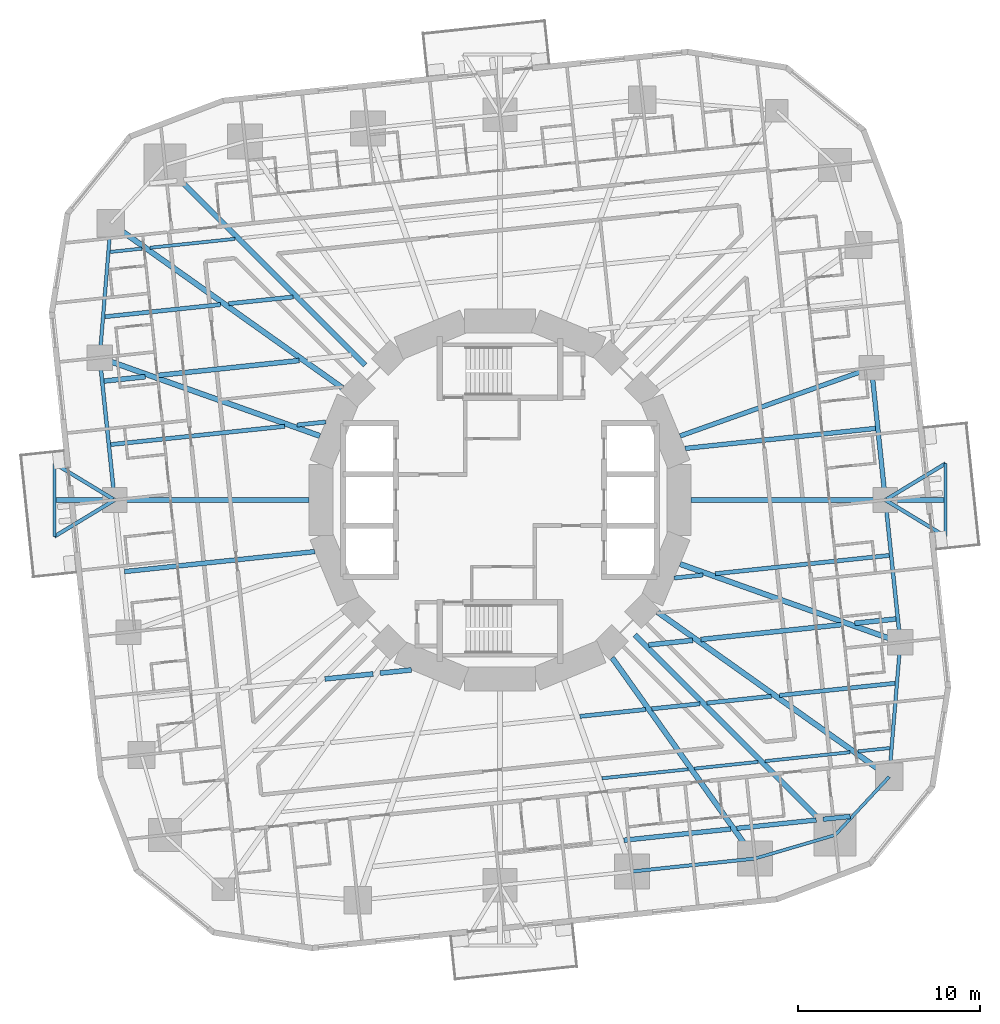
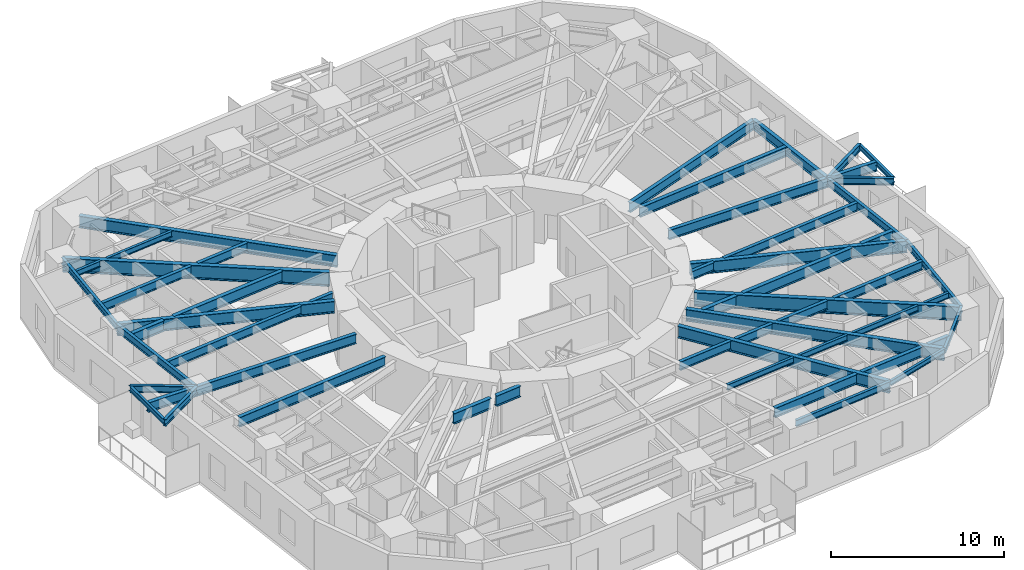
# One storey, part 2 of 15: 52 beams.
"""IFC4 building model written with IfcOpenShell, lengths in metres."""

from ifc_helpers import new_model, si_unit, direction, frame, origin, origin_2d, place, context, subcontext, project, spatial, i_section, extrude, material, material_profile, profile_set, type_object, element, save


model = new_model("IFC4")

# Units and contexts
model_context = context("Model", 3, precision=1e-05, world=origin(), true_north=direction((0.0, 1.0)))
body_context = subcontext(model_context, "Body", "Model", "MODEL_VIEW")
ifc_project = project(units=[si_unit("LENGTHUNIT", "METRE"), si_unit("AREAUNIT", "SQUARE_METRE"), si_unit("VOLUMEUNIT", "CUBIC_METRE"), si_unit("PLANEANGLEUNIT", "RADIAN"), si_unit("MASSUNIT", "GRAM", prefix="KILO")], contexts=[model_context])

# Site, building, storey
site_placement = place(None, origin())
site = spatial("IfcSite", under=ifc_project, at=site_placement, CompositionType="ELEMENT")
building_placement = place(site_placement, origin())
building = spatial("IfcBuilding", under=site, at=building_placement, Name="Nakasero Lantern House", CompositionType="ELEMENT")
storey_placement = place(building_placement, frame((0.0, 0.0, 72.050048828125)))
storey = spatial("IfcBuildingStorey", under=building, at=storey_placement, Name="L17", CompositionType="ELEMENT", Elevation=72.050048828125)

# Beams
ifc_material_1 = material(Name="Steel S355", Category="steel")
ifc_material_profile_1 = material_profile(ifc_material_1, i_section(OverallWidth=0.199462890625, OverallDepth=0.491943359375, WebThickness=0.01806640625, FlangeThickness=0.031982421875, FilletRadius=0.01025390625, at=origin_2d()), Name="UB 457x191x161")
ifc_profile_set_1 = profile_set([ifc_material_profile_1], Name="Steel S355")
beam_type_1 = type_object("IfcBeamType", Name="Balcony splay beam UB 457x191x161", PredefinedType="BEAM", material=ifc_profile_set_1)
for number, where, z_axis, x_axis, name in (
    (1, (21.11572265625, 0.0, 3.404052734375), (0.855201230787, 0.518296107317, 0.0), (-0.518296107317, 0.855201230787, 0.0), "Balcony splay beam L18 B2-C03A"),
    (2, (21.11572265625, 0.0, 3.404052734375), (0.855201230787, -0.518296107317, 0.0), (0.518296107317, 0.855201230787, 0.0), "Balcony splay beam L18 B2-C03B"),
    (3, (-21.11572265625, 0.0, 3.404052734375), (-0.855201230787, -0.518296107317, 0.0), (0.518296107317, -0.855201230787, 0.0), "Balcony splay beam L18 B2-C15A"),
    (4, (-21.11572265625, 0.0, 3.404052734375), (-0.855201230787, 0.518296107317, 0.0), (-0.518296107317, -0.855201230787, 0.0), "Balcony splay beam L18 B2-C15B"),
):
    element("IfcBeam", number, at=place(storey_placement, frame(where, z_axis=z_axis, x_axis=x_axis)), inside=storey, type_object=beam_type_1, Name=name, PredefinedType="BEAM", context=body_context, shape_type="SweptSolid", body=[
        extrude(i_section(OverallWidth=0.199462890625, OverallDepth=0.491943359375, WebThickness=0.01806640625, FlangeThickness=0.031982421875, FilletRadius=0.01025390625, at=origin_2d()), origin(), (0.0, 0.0, 1.0), 3.85888671875),
    ])
ifc_material_2 = material(Name="Steel S355", Category="steel")
ifc_material_profile_2 = material_profile(ifc_material_2, i_section(OverallWidth=0.17138671875, OverallDepth=0.35498046875, WebThickness=0.00732421875, FlangeThickness=0.011474609375, FilletRadius=0.01025390625, at=origin_2d()), Name="UB 356x171x51")
ifc_profile_set_2 = profile_set([ifc_material_profile_2], Name="Steel S355")
beam_type_2 = type_object("IfcBeamType", Name="Balcony tie beam UB 356x171x51", PredefinedType="BEAM", material=ifc_profile_set_2)
for number, where, z_axis, x_axis, name in (
    (5, (24.415771484375, 2.0, 3.472412109375), (0.0, -1.0, 0.0), (1.0, 0.0, 0.0), "Balcony tie beam L18 B2-C03"),
    (6, (-24.415771484375, -2.0, 3.472412109375), (0.0, 1.0, 0.0), (-1.0, 0.0, 0.0), "Balcony tie beam L18 B2-C15"),
):
    element("IfcBeam", number, at=place(storey_placement, frame(where, z_axis=z_axis, x_axis=x_axis)), inside=storey, type_object=beam_type_2, Name=name, PredefinedType="BEAM", context=body_context, shape_type="SweptSolid", body=[
        extrude(i_section(OverallWidth=0.17138671875, OverallDepth=0.35498046875, WebThickness=0.00732421875, FlangeThickness=0.011474609375, FilletRadius=0.01025390625, at=origin_2d()), origin(), (0.0, 0.0, 1.0), 4.0),
    ])
ifc_material_3 = material(Name="Steel S355", Category="steel")
ifc_material_profile_3 = material_profile(ifc_material_3, i_section(OverallWidth=0.177978515625, OverallDepth=0.406494140625, WebThickness=0.0078125, FlangeThickness=0.0126953125, FilletRadius=0.01025390625, at=origin_2d()), Name="UB 406x178x60")
ifc_profile_set_3 = profile_set([ifc_material_profile_3], Name="Steel S355")
beam_type_3 = type_object("IfcBeamType", Name="Infill beam UB 406x178x60", PredefinedType="JOIST", material=ifc_profile_set_3)
beam_1_placement = place(storey_placement, frame((5.58154296875, -15.25, 3.44677734375), z_axis=(0.994523439889, 0.104513767091, 0.0), x_axis=(-0.104513767091, 0.994523439889, 0.0)))
element("IfcBeam", 7, at=beam_1_placement, inside=storey, type_object=beam_type_3, Name="Infill beam L18 03.4", PredefinedType="JOIST", context=body_context, shape_type="SweptSolid", body=[
    extrude(i_section(OverallWidth=0.177978515625, OverallDepth=0.406494140625, WebThickness=0.0078125, FlangeThickness=0.0126953125, FilletRadius=0.01025390625, at=origin_2d()), origin(), (0.0, 0.0, 1.0), 4.756103515625),
])
beam_2_placement = place(storey_placement, frame((10.6455078125, -14.7177734375, 3.44677734375), z_axis=(0.994521415391, 0.104533029842, 0.0), x_axis=(-0.104533029842, 0.994521415391, 0.0)))
element("IfcBeam", 8, at=beam_2_placement, inside=storey, type_object=beam_type_3, Name="Infill beam L18 03.5", PredefinedType="JOIST", context=body_context, shape_type="SweptSolid", body=[
    extrude(i_section(OverallWidth=0.177978515625, OverallDepth=0.406494140625, WebThickness=0.0078125, FlangeThickness=0.0126953125, FilletRadius=0.01025390625, at=origin_2d()), origin(), (0.0, 0.0, 1.0), 3.517333984375),
])
beam_3_placement = place(storey_placement, frame((14.517578125, -14.310791015625, 3.44677734375), z_axis=(0.994522000641, 0.104527461662, 0.0), x_axis=(-0.104527461662, 0.994522000641, 0.0)))
element("IfcBeam", 9, at=beam_3_placement, inside=storey, type_object=beam_type_3, Name="Infill beam L18 03.6", PredefinedType="JOIST", context=body_context, shape_type="SweptSolid", body=[
    extrude(i_section(OverallWidth=0.177978515625, OverallDepth=0.406494140625, WebThickness=0.0078125, FlangeThickness=0.0126953125, FilletRadius=0.01025390625, at=origin_2d()), origin(), (0.0, 0.0, 1.0), 4.685302734375),
])
for number, where, z_axis, x_axis, name in (
    (10, (19.628173828125, -13.773681640625, 3.44677734375), (0.994526919783, 0.1044806481, 0.0), (-0.1044806481, 0.994526919783, 0.0), "Infill beam L18 03.7"),
    (11, (-21.36181640625, 13.591552734375, 3.44677734375), (0.994526919783, 0.1044806481, 0.0), (-0.1044806481, 0.994526919783, 0.0), "Infill beam L18 12.1"),
):
    element("IfcBeam", number, at=place(storey_placement, frame(where, z_axis=z_axis, x_axis=x_axis)), inside=storey, type_object=beam_type_3, Name=name, PredefinedType="JOIST", context=body_context, shape_type="SweptSolid", body=[
        extrude(i_section(OverallWidth=0.177978515625, OverallDepth=0.406494140625, WebThickness=0.0078125, FlangeThickness=0.0126953125, FilletRadius=0.01025390625, at=origin_2d()), origin(), (0.0, 0.0, 1.0), 1.7431640625),
    ])
beam_4_placement = place(storey_placement, frame((-19.17724609375, 13.821044921875, 3.44677734375), z_axis=(0.994522000641, 0.104527461662, 0.0), x_axis=(-0.104527461662, 0.994522000641, 0.0)))
element("IfcBeam", 12, at=beam_4_placement, inside=storey, type_object=beam_type_3, Name="Infill beam L18 12.2", PredefinedType="JOIST", context=body_context, shape_type="SweptSolid", body=[
    extrude(i_section(OverallWidth=0.177978515625, OverallDepth=0.406494140625, WebThickness=0.0078125, FlangeThickness=0.0126953125, FilletRadius=0.01025390625, at=origin_2d()), origin(), (0.0, 0.0, 1.0), 4.685302734375),
])
ifc_material_4 = material(Name="Steel S355", Category="steel")
ifc_material_profile_4 = material_profile(ifc_material_4, i_section(OverallWidth=0.2275390625, OverallDepth=0.6025390625, WebThickness=0.010498046875, FlangeThickness=0.014892578125, FilletRadius=0.0126953125, at=origin_2d()), Name="UB 610x229x101")
ifc_profile_set_4 = profile_set([ifc_material_profile_4], Name="Steel S355")
beam_type_4 = type_object("IfcBeamType", Name="Infill beam UB 610x229x101", PredefinedType="JOIST", material=ifc_profile_set_4)
beam_5_placement = place(storey_placement, frame((9.548583984375, -4.275390625, 3.3486328125), z_axis=(0.99451559139, 0.104588424223, 0.0), x_axis=(-0.104588424223, 0.99451559139, 0.0)))
element("IfcBeam", 13, at=beam_5_placement, inside=storey, type_object=beam_type_4, Name="Infill beam L18 06.1", PredefinedType="JOIST", context=body_context, shape_type="SweptSolid", body=[
    extrude(i_section(OverallWidth=0.2275390625, OverallDepth=0.6025390625, WebThickness=0.010498046875, FlangeThickness=0.014892578125, FilletRadius=0.0126953125, at=origin_2d()), origin(), (0.0, 0.0, 1.0), 1.582763671875),
])
for number, where, z_axis, x_axis, name in (
    (14, (11.79638671875, -4.0390625, 3.3486328125), (0.994521908804, 0.104528335435, 0.0), (-0.104528335435, 0.994521908804, 0.0), "Infill beam L18 06.2"),
    (15, (-21.329345703125, 3.037109375, 3.3486328125), (0.994521908804, 0.104528335435, 0.0), (-0.104528335435, 0.994521908804, 0.0), "Infill beam L18 09.1"),
):
    element("IfcBeam", number, at=place(storey_placement, frame(where, z_axis=z_axis, x_axis=x_axis)), inside=storey, type_object=beam_type_4, Name=name, PredefinedType="JOIST", context=body_context, shape_type="SweptSolid", body=[
        extrude(i_section(OverallWidth=0.2275390625, OverallDepth=0.6025390625, WebThickness=0.010498046875, FlangeThickness=0.014892578125, FilletRadius=0.0126953125, at=origin_2d()), origin(), (0.0, 0.0, 1.0), 9.58544921875),
    ])
beam_6_placement = place(storey_placement, frame((-11.12255859375, 4.10986328125, 3.3486328125), z_axis=(0.99451559139, 0.104588424223, 0.0), x_axis=(-0.104588424223, 0.99451559139, 0.0)))
element("IfcBeam", 16, at=beam_6_placement, inside=storey, type_object=beam_type_4, Name="Infill beam L18 09.2", PredefinedType="JOIST", context=body_context, shape_type="SweptSolid", body=[
    extrude(i_section(OverallWidth=0.2275390625, OverallDepth=0.6025390625, WebThickness=0.010498046875, FlangeThickness=0.014892578125, FilletRadius=0.0126953125, at=origin_2d()), origin(), (0.0, 0.0, 1.0), 1.582763671875),
])
ifc_material_5 = material(Name="Steel S355", Category="steel")
ifc_material_profile_5 = material_profile(ifc_material_5, i_section(OverallWidth=0.22900390625, OverallDepth=0.6123046875, WebThickness=0.011962890625, FlangeThickness=0.01953125, FilletRadius=0.0126953125, at=origin_2d()), Name="UB 610x229x125")
ifc_profile_set_5 = profile_set([ifc_material_profile_5], Name="Steel S355")
beam_type_5 = type_object("IfcBeamType", Name="Infill beam UB 610x229x125", PredefinedType="JOIST", material=ifc_profile_set_5)
beam_7_placement = place(storey_placement, frame((4.375244140625, -11.857666015625, 3.34375), z_axis=(0.994523507044, 0.104513128058, 0.0), x_axis=(-0.104513128058, 0.994523507044, 0.0)))
element("IfcBeam", 17, at=beam_7_placement, inside=storey, type_object=beam_type_5, Name="Infill beam L18 04.5", PredefinedType="JOIST", context=body_context, shape_type="SweptSolid", body=[
    extrude(i_section(OverallWidth=0.22900390625, OverallDepth=0.6123046875, WebThickness=0.011962890625, FlangeThickness=0.01953125, FilletRadius=0.0126953125, at=origin_2d()), origin(), (0.0, 0.0, 1.0), 3.627685546875),
])
beam_8_placement = place(storey_placement, frame((8.31689453125, -11.443359375, 3.34375), z_axis=(0.994526079282, 0.104488648322, 0.0), x_axis=(-0.104488648322, 0.994526079282, 0.0)))
element("IfcBeam", 18, at=beam_8_placement, inside=storey, type_object=beam_type_5, Name="Infill beam L18 04.6", PredefinedType="JOIST", context=body_context, shape_type="SweptSolid", body=[
    extrude(i_section(OverallWidth=0.22900390625, OverallDepth=0.6123046875, WebThickness=0.011962890625, FlangeThickness=0.01953125, FilletRadius=0.0126953125, at=origin_2d()), origin(), (0.0, 0.0, 1.0), 2.65673828125),
])
beam_9_placement = place(storey_placement, frame((11.3330078125, -11.126220703125, 3.34375), z_axis=(0.99452727583, 0.104477258916, 0.0), x_axis=(-0.104477258916, 0.99452727583, 0.0)))
element("IfcBeam", 19, at=beam_9_placement, inside=storey, type_object=beam_type_5, Name="Infill beam L18 04.7", PredefinedType="JOIST", context=body_context, shape_type="SweptSolid", body=[
    extrude(i_section(OverallWidth=0.22900390625, OverallDepth=0.6123046875, WebThickness=0.011962890625, FlangeThickness=0.01953125, FilletRadius=0.0126953125, at=origin_2d()), origin(), (0.0, 0.0, 1.0), 3.552001953125),
])
for number, where, z_axis, x_axis, name in (
    (20, (15.31640625, -10.707763671875, 3.34375), (0.994520346325, 0.104543200382, 0.0), (-0.104543200382, 0.994520346325, 0.0), "Infill beam L18 04.8"),
    (21, (-21.654541015625, 10.04150390625, 3.34375), (0.994520346325, 0.104543200382, 0.0), (-0.104543200382, 0.994520346325, 0.0), "Infill beam L18 11.1"),
):
    element("IfcBeam", number, at=place(storey_placement, frame(where, z_axis=z_axis, x_axis=x_axis)), inside=storey, type_object=beam_type_5, Name=name, PredefinedType="JOIST", context=body_context, shape_type="SweptSolid", body=[
        extrude(i_section(OverallWidth=0.22900390625, OverallDepth=0.6123046875, WebThickness=0.011962890625, FlangeThickness=0.01953125, FilletRadius=0.0126953125, at=origin_2d()), origin(), (0.0, 0.0, 1.0), 6.373046875),
    ])
beam_10_placement = place(storey_placement, frame((-14.865478515625, 10.755126953125, 3.34375), z_axis=(0.99452727583, 0.104477258916, 0.0), x_axis=(-0.104477258916, 0.99452727583, 0.0)))
element("IfcBeam", 22, at=beam_10_placement, inside=storey, type_object=beam_type_5, Name="Infill beam L18 11.2", PredefinedType="JOIST", context=body_context, shape_type="SweptSolid", body=[
    extrude(i_section(OverallWidth=0.22900390625, OverallDepth=0.6123046875, WebThickness=0.011962890625, FlangeThickness=0.01953125, FilletRadius=0.0126953125, at=origin_2d()), origin(), (0.0, 0.0, 1.0), 3.552001953125),
])
ifc_material_6 = material(Name="Steel S355", Category="steel")
ifc_material_profile_6 = material_profile(ifc_material_6, i_section(OverallWidth=0.255859375, OverallDepth=0.69287109375, WebThickness=0.014404296875, FlangeThickness=0.023681640625, FilletRadius=0.01513671875, at=origin_2d()), Name="UB 686x254x170")
ifc_profile_set_6 = profile_set([ifc_material_profile_6], Name="Steel S355")
beam_type_6 = type_object("IfcBeamType", Name="Infill beam UB 686x254x170", PredefinedType="JOIST", material=ifc_profile_set_6)
beam_11_placement = place(storey_placement, frame((6.78759765625, -18.642578125, 3.303466796875), z_axis=(0.994524304789, 0.104505536616, 0.0), x_axis=(-0.104505536616, 0.994524304789, 0.0)))
element("IfcBeam", 23, at=beam_11_placement, inside=storey, type_object=beam_type_6, Name="Infill beam L18 02.3", PredefinedType="JOIST", context=body_context, shape_type="SweptSolid", body=[
    extrude(i_section(OverallWidth=0.255859375, OverallDepth=0.69287109375, WebThickness=0.014404296875, FlangeThickness=0.023681640625, FilletRadius=0.01513671875, at=origin_2d()), origin(), (0.0, 0.0, 1.0), 5.884765625),
])
beam_12_placement = place(storey_placement, frame((12.97412109375, -17.992431640625, 3.303466796875), z_axis=(0.994518584312, 0.104559961062, 0.0), x_axis=(-0.104559961062, 0.994518584312, 0.0)))
element("IfcBeam", 24, at=beam_12_placement, inside=storey, type_object=beam_type_6, Name="Infill beam L18 02.4", PredefinedType="JOIST", context=body_context, shape_type="SweptSolid", body=[
    extrude(i_section(OverallWidth=0.255859375, OverallDepth=0.69287109375, WebThickness=0.014404296875, FlangeThickness=0.023681640625, FilletRadius=0.01513671875, at=origin_2d()), origin(), (0.0, 0.0, 1.0), 4.3779296875),
])
beam_13_placement = place(storey_placement, frame((17.7021484375, -17.495361328125, 3.303466796875), z_axis=(0.994535800288, 0.104396082038, 0.0), x_axis=(-0.104396082038, 0.994535800288, 0.0)))
element("IfcBeam", 25, at=beam_13_placement, inside=storey, type_object=beam_type_6, Name="Infill beam L18 02.5", PredefinedType="JOIST", context=body_context, shape_type="SweptSolid", body=[
    extrude(i_section(OverallWidth=0.255859375, OverallDepth=0.69287109375, WebThickness=0.014404296875, FlangeThickness=0.023681640625, FilletRadius=0.01513671875, at=origin_2d()), origin(), (0.0, 0.0, 1.0), 1.49658203125),
])
for number, where, z_axis, x_axis, name in (
    (26, (-20.575927734375, -3.92236328125, 3.303466796875), (0.994521899939, 0.104528419781, 0.0), (-0.104528419781, 0.994521899939, 0.0), "Infill beam L18 07.1"),
    (27, (10.148681640625, 2.826416015625, 3.303466796875), (0.994521899939, 0.104528419781, 0.0), (-0.104528419781, 0.994521899939, 0.0), "Infill beam L18 08.1"),
):
    element("IfcBeam", number, at=place(storey_placement, frame(where, z_axis=z_axis, x_axis=x_axis)), inside=storey, type_object=beam_type_6, Name=name, PredefinedType="JOIST", context=body_context, shape_type="SweptSolid", body=[
        extrude(i_section(OverallWidth=0.255859375, OverallDepth=0.69287109375, WebThickness=0.014404296875, FlangeThickness=0.023681640625, FilletRadius=0.01513671875, at=origin_2d()), origin(), (0.0, 0.0, 1.0), 10.484619140625),
    ])
ifc_material_7 = material(Name="Steel S355", Category="steel")
ifc_material_profile_7 = material_profile(ifc_material_7, i_section(OverallWidth=0.2666015625, OverallDepth=0.76220703125, WebThickness=0.014404296875, FlangeThickness=0.021484375, FilletRadius=0.0166015625, at=origin_2d()), Name="UB 762x267x173")
ifc_profile_set_7 = profile_set([ifc_material_profile_7], Name="Steel S355")
beam_type_7 = type_object("IfcBeamType", Name="Infill beam UB 762x267x173", PredefinedType="JOIST", material=ifc_profile_set_7)
beam_14_placement = place(storey_placement, frame((-9.594482421875, -9.806640625, 3.268798828125), z_axis=(0.994521575627, 0.104531505358, 0.0), x_axis=(-0.104531505358, 0.994521575627, 0.0)))
element("IfcBeam", 28, at=beam_14_placement, inside=storey, type_object=beam_type_7, Name="Infill beam L18 05.3", PredefinedType="JOIST", context=body_context, shape_type="SweptSolid", body=[
    extrude(i_section(OverallWidth=0.2666015625, OverallDepth=0.76220703125, WebThickness=0.014404296875, FlangeThickness=0.021484375, FilletRadius=0.0166015625, at=origin_2d()), origin(), (0.0, 0.0, 1.0), 2.6533203125),
])
beam_15_placement = place(storey_placement, frame((-6.568115234375, -9.488525390625, 3.268798828125), z_axis=(0.994529501552, 0.104456069922, 0.0), x_axis=(-0.104456069922, 0.994529501552, 0.0)))
element("IfcBeam", 29, at=beam_15_placement, inside=storey, type_object=beam_type_7, Name="Infill beam L18 05.4", PredefinedType="JOIST", context=body_context, shape_type="SweptSolid", body=[
    extrude(i_section(OverallWidth=0.2666015625, OverallDepth=0.76220703125, WebThickness=0.014404296875, FlangeThickness=0.021484375, FilletRadius=0.0166015625, at=origin_2d()), origin(), (0.0, 0.0, 1.0), 1.72265625),
])
beam_16_placement = place(storey_placement, frame((8.1484375, -7.941650390625, 3.268798828125), z_axis=(0.99452700398, 0.104479846642, 0.0), x_axis=(-0.104479846642, 0.99452700398, 0.0)))
element("IfcBeam", 30, at=beam_16_placement, inside=storey, type_object=beam_type_7, Name="Infill beam L18 05.5", PredefinedType="JOIST", context=body_context, shape_type="SweptSolid", body=[
    extrude(i_section(OverallWidth=0.2666015625, OverallDepth=0.76220703125, WebThickness=0.014404296875, FlangeThickness=0.021484375, FilletRadius=0.0166015625, at=origin_2d()), origin(), (0.0, 0.0, 1.0), 2.41845703125),
])
beam_17_placement = place(storey_placement, frame((11.0048828125, -7.6416015625, 3.268798828125), z_axis=(0.994520535103, 0.104541404521, 0.0), x_axis=(-0.104541404521, 0.994520535103, 0.0)))
element("IfcBeam", 31, at=beam_17_placement, inside=storey, type_object=beam_type_7, Name="Infill beam L18 05.6", PredefinedType="JOIST", context=body_context, shape_type="SweptSolid", body=[
    extrude(i_section(OverallWidth=0.2666015625, OverallDepth=0.76220703125, WebThickness=0.014404296875, FlangeThickness=0.021484375, FilletRadius=0.0166015625, at=origin_2d()), origin(), (0.0, 0.0, 1.0), 7.800048828125),
])
for number, where, z_axis, x_axis, name in (
    (32, (19.43603515625, -6.75537109375, 3.268798828125), (0.994516636986, 0.104578481334, 0.0), (-0.104578481334, 0.994516636986, 0.0), "Infill beam L18 05.7"),
    (33, (-21.695068359375, 6.517822265625, 3.268798828125), (0.994516636986, 0.104578481334, 0.0), (-0.104578481334, 0.994516636986, 0.0), "Infill beam L18 10.1"),
):
    element("IfcBeam", number, at=place(storey_placement, frame(where, z_axis=z_axis, x_axis=x_axis)), inside=storey, type_object=beam_type_7, Name=name, PredefinedType="JOIST", context=body_context, shape_type="SweptSolid", body=[
        extrude(i_section(OverallWidth=0.2666015625, OverallDepth=0.76220703125, WebThickness=0.014404296875, FlangeThickness=0.021484375, FilletRadius=0.0166015625, at=origin_2d()), origin(), (0.0, 0.0, 1.0), 2.271484375),
    ])
beam_18_placement = place(storey_placement, frame((-18.76220703125, 6.826171875, 3.268798828125), z_axis=(0.994520535103, 0.104541404521, 0.0), x_axis=(-0.104541404521, 0.994520535103, 0.0)))
element("IfcBeam", 34, at=beam_18_placement, inside=storey, type_object=beam_type_7, Name="Infill beam L18 10.2", PredefinedType="JOIST", context=body_context, shape_type="SweptSolid", body=[
    extrude(i_section(OverallWidth=0.2666015625, OverallDepth=0.76220703125, WebThickness=0.014404296875, FlangeThickness=0.021484375, FilletRadius=0.0166015625, at=origin_2d()), origin(), (0.0, 0.0, 1.0), 7.800048828125),
])
ifc_material_8 = material(Name="Steel S355", Category="steel")
ifc_material_profile_8 = material_profile(ifc_material_8, i_section(OverallWidth=0.300048828125, OverallDepth=0.989990234375, WebThickness=0.0166015625, FlangeThickness=0.031005859375, FilletRadius=0.030029296875, at=origin_2d()), Name="UB 1016x305x272")
ifc_profile_set_8 = profile_set([ifc_material_profile_8], Name="Steel S355")
beam_type_8 = type_object("IfcBeamType", Name="Primary beam UB 1016x305x272, span over 15 m", PredefinedType="BEAM", material=ifc_profile_set_8)
for number, where, z_axis, x_axis, name in (
    (35, (21.327880859375, -15.16650390625, 3.15478515625), (-0.814951538239, 0.57952911085, 0.0), (-0.57952911085, -0.814951538239, 0.0), "Primary beam L18 B2-C01"),
    (36, (-21.327880859375, 15.16650390625, 3.15478515625), (0.814951538239, -0.57952911085, 0.0), (0.57952911085, 0.814951538239, 0.0), "Primary beam L18 B2-C13"),
):
    element("IfcBeam", number, at=place(storey_placement, frame(where, z_axis=z_axis, x_axis=x_axis)), inside=storey, type_object=beam_type_8, Name=name, PredefinedType="BEAM", context=body_context, shape_type="SweptSolid", body=[
        extrude(i_section(OverallWidth=0.300048828125, OverallDepth=0.989990234375, WebThickness=0.0166015625, FlangeThickness=0.031005859375, FilletRadius=0.030029296875, at=origin_2d()), origin(), (0.0, 0.0, 1.0), 15.564697265625),
    ])
ifc_material_9 = material(Name="Steel S355", Category="steel")
ifc_material_profile_9 = material_profile(ifc_material_9, i_section(OverallWidth=0.253662109375, OverallDepth=0.68359375, WebThickness=0.012451171875, FlangeThickness=0.01904296875, FilletRadius=0.01513671875, at=origin_2d()), Name="UB 686x254x140")
ifc_profile_set_9 = profile_set([ifc_material_profile_9], Name="Steel S355")
beam_type_9 = type_object("IfcBeamType", Name="Primary beam UB 686x254x140, span 9 to 12 m", PredefinedType="BEAM", material=ifc_profile_set_9)
beam_19_placement = place(storey_placement, frame((24.415771484375, 0.0, 3.30810546875), z_axis=(-1.0, 0.0, 0.0), x_axis=(0.0, -1.0, 0.0)))
element("IfcBeam", 37, at=beam_19_placement, inside=storey, type_object=beam_type_9, Name="Primary beam L18 B2-C03", PredefinedType="BEAM", context=body_context, shape_type="SweptSolid", body=[
    extrude(i_section(OverallWidth=0.253662109375, OverallDepth=0.68359375, WebThickness=0.012451171875, FlangeThickness=0.01904296875, FilletRadius=0.01513671875, at=origin_2d()), origin(), (0.0, 0.0, 1.0), 13.9580078125),
])
beam_20_placement = place(storey_placement, frame((20.35498046875, 7.2373046875, 3.30810546875), z_axis=(-0.942214844119, -0.335009234979, 0.0), x_axis=(0.335009234979, -0.942214844119, 0.0)))
element("IfcBeam", 38, at=beam_20_placement, inside=storey, type_object=beam_type_9, Name="Primary beam L18 B2-C04", PredefinedType="BEAM", context=body_context, shape_type="SweptSolid", body=[
    extrude(i_section(OverallWidth=0.253662109375, OverallDepth=0.68359375, WebThickness=0.012451171875, FlangeThickness=0.01904296875, FilletRadius=0.01513671875, at=origin_2d()), origin(), (0.0, 0.0, 1.0), 11.1318359375),
])
beam_21_placement = place(storey_placement, frame((-24.415771484375, 0.0, 3.30810546875), z_axis=(1.0, 0.0, 0.0), x_axis=(0.0, 1.0, 0.0)))
element("IfcBeam", 39, at=beam_21_placement, inside=storey, type_object=beam_type_9, Name="Primary beam L18 B2-C15", PredefinedType="BEAM", context=body_context, shape_type="SweptSolid", body=[
    extrude(i_section(OverallWidth=0.253662109375, OverallDepth=0.68359375, WebThickness=0.012451171875, FlangeThickness=0.01904296875, FilletRadius=0.01513671875, at=origin_2d()), origin(), (0.0, 0.0, 1.0), 13.9580078125),
])
ifc_material_10 = material(Name="Steel S355", Category="steel")
ifc_material_profile_10 = material_profile(ifc_material_10, i_section(OverallWidth=0.29248046875, OverallDepth=0.8408203125, WebThickness=0.0146484375, FlangeThickness=0.02685546875, FilletRadius=0.017822265625, at=origin_2d()), Name="UB 838x292x194")
ifc_profile_set_10 = profile_set([ifc_material_profile_10], Name="Steel S355")
beam_type_10 = type_object("IfcBeamType", Name="Primary beam UB 838x292x194, span 12 to 15 m", PredefinedType="BEAM", material=ifc_profile_set_10)
for number, where, z_axis, x_axis, name in (
    (40, (21.935302734375, -7.79931640625, 3.2294921875), (-0.942211882636, 0.335017564047, 0.0), (-0.335017564047, -0.942211882636, 0.0), "Primary beam L18 B2-C02"),
    (41, (-21.935302734375, 7.79931640625, 3.2294921875), (0.942211882636, -0.335017564047, 0.0), (0.335017564047, 0.942211882636, 0.0), "Primary beam L18 B2-C14"),
):
    element("IfcBeam", number, at=place(storey_placement, frame(where, z_axis=z_axis, x_axis=x_axis)), inside=storey, type_object=beam_type_10, Name=name, PredefinedType="BEAM", context=body_context, shape_type="SweptSolid", body=[
        extrude(i_section(OverallWidth=0.29248046875, OverallDepth=0.8408203125, WebThickness=0.0146484375, FlangeThickness=0.02685546875, FilletRadius=0.017822265625, at=origin_2d()), origin(), (0.0, 0.0, 1.0), 12.80908203125),
    ])
beam_22_placement = place(storey_placement, frame((13.971435546875, -19.647216796875, 3.2294921875), z_axis=(-0.579533393168, 0.814948492976, 0.0), x_axis=(-0.814948492976, -0.579533393168, 0.0)))
element("IfcBeam", 42, at=beam_22_placement, inside=storey, type_object=beam_type_10, Name="Primary beam L18 B2-C23", PredefinedType="BEAM", context=body_context, shape_type="SweptSolid", body=[
    extrude(i_section(OverallWidth=0.29248046875, OverallDepth=0.8408203125, WebThickness=0.0146484375, FlangeThickness=0.02685546875, FilletRadius=0.017822265625, at=origin_2d()), origin(), (0.0, 0.0, 1.0), 13.502685546875),
])
ifc_material_11 = material(Name="Steel S355", Category="steel")
ifc_material_profile_11 = material_profile(ifc_material_11, i_section(OverallWidth=0.29248046875, OverallDepth=0.8408203125, WebThickness=0.0146484375, FlangeThickness=0.02685546875, FilletRadius=0.017822265625, at=origin_2d()), Name="UB 838x292x194")
ifc_profile_set_11 = profile_set([ifc_material_profile_11], Name="Steel S355")
beam_type_11 = type_object("IfcBeamType", Name="Primary beam UB 838x292x194, span over 15 m", PredefinedType="BEAM", material=ifc_profile_set_11)
for number, where, z_axis, x_axis, name in (
    (43, (-18.359375, 18.359375, 3.2294921875), (0.707106781187, -0.707106781187, 0.0), (0.707106781187, 0.707106781187, 0.0), "Primary beam L18 B2-C12"),
    (44, (18.359375, -18.359375, 3.2294921875), (-0.707106781187, 0.707106781187, 0.0), (-0.707106781187, -0.707106781187, 0.0), "Primary beam L18 B2-C24"),
):
    element("IfcBeam", number, at=place(storey_placement, frame(where, z_axis=z_axis, x_axis=x_axis)), inside=storey, type_object=beam_type_11, Name=name, PredefinedType="BEAM", context=body_context, shape_type="SweptSolid", body=[
        extrude(i_section(OverallWidth=0.29248046875, OverallDepth=0.8408203125, WebThickness=0.0146484375, FlangeThickness=0.02685546875, FilletRadius=0.017822265625, at=origin_2d()), origin(), (0.0, 0.0, 1.0), 15.50634765625),
    ])
ifc_material_12 = material(Name="Steel S355", Category="steel")
ifc_material_profile_12 = material_profile(ifc_material_12, i_section(OverallWidth=0.17138671875, OverallDepth=0.35498046875, WebThickness=0.00732421875, FlangeThickness=0.011474609375, FilletRadius=0.01025390625, at=origin_2d()), Name="UB 356x171x51")
ifc_profile_set_12 = profile_set([ifc_material_profile_12], Name="Steel S355")
beam_type_12 = type_object("IfcBeamType", Name="Ring beam UB 356x171x51", PredefinedType="BEAM", material=ifc_profile_set_12)
beam_23_placement = place(storey_placement, frame((13.971435546875, -19.647216796875, 3.472412109375), z_axis=(0.959526865957, 0.28161710443, 0.0), x_axis=(-0.28161710443, 0.959526865957, 0.0)))
element("IfcBeam", 45, at=beam_23_placement, inside=storey, type_object=beam_type_12, Name="Ring beam L18 B2-C23", PredefinedType="BEAM", context=body_context, shape_type="SweptSolid", body=[
    extrude(i_section(OverallWidth=0.17138671875, OverallDepth=0.35498046875, WebThickness=0.00732421875, FlangeThickness=0.011474609375, FilletRadius=0.01025390625, at=origin_2d()), origin(), (0.0, 0.0, 1.0), 4.572998046875),
])
beam_24_placement = place(storey_placement, frame((18.359375, -18.359375, 3.472412109375), z_axis=(0.680906333933, 0.732370510336, 0.0), x_axis=(-0.732370510336, 0.680906333933, 0.0)))
element("IfcBeam", 46, at=beam_24_placement, inside=storey, type_object=beam_type_12, Name="Ring beam L18 B2-C24", PredefinedType="BEAM", context=body_context, shape_type="SweptSolid", body=[
    extrude(i_section(OverallWidth=0.17138671875, OverallDepth=0.35498046875, WebThickness=0.00732421875, FlangeThickness=0.011474609375, FilletRadius=0.01025390625, at=origin_2d()), origin(), (0.0, 0.0, 1.0), 4.359619140625),
])
ifc_material_13 = material(Name="Steel S355", Category="steel")
ifc_material_profile_13 = material_profile(ifc_material_13, i_section(OverallWidth=0.18994140625, OverallDepth=0.453369140625, WebThickness=0.008544921875, FlangeThickness=0.0126953125, FilletRadius=0.01025390625, at=origin_2d()), Name="UB 457x191x67")
ifc_profile_set_13 = profile_set([ifc_material_profile_13], Name="Steel S355")
beam_type_13 = type_object("IfcBeamType", Name="Ring beam UB 457x191x67", PredefinedType="BEAM", material=ifc_profile_set_13)
beam_25_placement = place(storey_placement, frame((7.2373046875, -20.35498046875, 3.42333984375), z_axis=(0.994522233155, 0.10452524939, 0.0), x_axis=(-0.10452524939, 0.994522233155, 0.0)))
element("IfcBeam", 47, at=beam_25_placement, inside=storey, type_object=beam_type_13, Name="Ring beam L18 B2-C22", PredefinedType="BEAM", context=body_context, shape_type="SweptSolid", body=[
    extrude(i_section(OverallWidth=0.18994140625, OverallDepth=0.453369140625, WebThickness=0.008544921875, FlangeThickness=0.0126953125, FilletRadius=0.01025390625, at=origin_2d()), origin(), (0.0, 0.0, 1.0), 6.771240234375),
])
ifc_material_14 = material(Name="Steel S355", Category="steel")
ifc_material_profile_14 = material_profile(ifc_material_14, i_section(OverallWidth=0.19140625, OverallDepth=0.4599609375, WebThickness=0.010009765625, FlangeThickness=0.01611328125, FilletRadius=0.01025390625, at=origin_2d()), Name="UB 457x191x82")
ifc_profile_set_14 = profile_set([ifc_material_profile_14], Name="Steel S355")
beam_type_14 = type_object("IfcBeamType", Name="Ring beam UB 457x191x82", PredefinedType="BEAM", material=ifc_profile_set_14)
for number, where, z_axis, x_axis, name in (
    (48, (21.327880859375, -15.16650390625, 3.419921875), (0.08217080574, 0.996618261264, 0.0), (-0.996618261264, 0.08217080574, 0.0), "Ring beam L18 B2-C01"),
    (49, (-21.327880859375, 15.16650390625, 3.419921875), (-0.08217080574, -0.996618261264, 0.0), (0.996618261264, -0.08217080574, 0.0), "Ring beam L18 B2-C13"),
):
    element("IfcBeam", number, at=place(storey_placement, frame(where, z_axis=z_axis, x_axis=x_axis)), inside=storey, type_object=beam_type_14, Name=name, PredefinedType="BEAM", context=body_context, shape_type="SweptSolid", body=[
        extrude(i_section(OverallWidth=0.19140625, OverallDepth=0.4599609375, WebThickness=0.010009765625, FlangeThickness=0.01611328125, FilletRadius=0.01025390625, at=origin_2d()), origin(), (0.0, 0.0, 1.0), 7.39208984375),
    ])
ifc_material_15 = material(Name="Steel S355", Category="steel")
ifc_material_profile_15 = material_profile(ifc_material_15, i_section(OverallWidth=0.2099609375, OverallDepth=0.53662109375, WebThickness=0.0107421875, FlangeThickness=0.017333984375, FilletRadius=0.0126953125, at=origin_2d()), Name="UB 533x210x101")
ifc_profile_set_15 = profile_set([ifc_material_profile_15], Name="Steel S355")
beam_type_15 = type_object("IfcBeamType", Name="Ring beam UB 533x210x101", PredefinedType="BEAM", material=ifc_profile_set_15)
for number, where, z_axis, x_axis, name in (
    (50, (21.935302734375, -7.79931640625, 3.381591796875), (-0.104508144098, 0.994524030789, 0.0), (-0.994524030789, -0.104508144098, 0.0), "Ring beam L18 B2-C02"),
    (51, (-21.935302734375, 7.79931640625, 3.381591796875), (0.104508144098, -0.994524030789, 0.0), (0.994524030789, 0.104508144098, 0.0), "Ring beam L18 B2-C14"),
):
    element("IfcBeam", number, at=place(storey_placement, frame(where, z_axis=z_axis, x_axis=x_axis)), inside=storey, type_object=beam_type_15, Name=name, PredefinedType="BEAM", context=body_context, shape_type="SweptSolid", body=[
        extrude(i_section(OverallWidth=0.2099609375, OverallDepth=0.53662109375, WebThickness=0.0107421875, FlangeThickness=0.017333984375, FilletRadius=0.0126953125, at=origin_2d()), origin(), (0.0, 0.0, 1.0), 7.84228515625),
    ])
ifc_material_16 = material(Name="Steel S355", Category="steel")
ifc_material_profile_16 = material_profile(ifc_material_16, i_section(OverallWidth=0.253662109375, OverallDepth=0.68359375, WebThickness=0.012451171875, FlangeThickness=0.01904296875, FilletRadius=0.01513671875, at=origin_2d()), Name="UB 686x254x140")
ifc_profile_set_16 = profile_set([ifc_material_profile_16], Name="Steel S355")
beam_type_16 = type_object("IfcBeamType", Name="Ring beam UB 686x254x140", PredefinedType="BEAM", material=ifc_profile_set_16)
beam_26_placement = place(storey_placement, frame((21.11572265625, 0.0, 3.30810546875), z_axis=(-0.104538087767, 0.994520883746, 0.0), x_axis=(-0.994520883746, -0.104538087767, 0.0)))
element("IfcBeam", 52, at=beam_26_placement, inside=storey, type_object=beam_type_16, Name="Ring beam L18 B2-C03", PredefinedType="BEAM", context=body_context, shape_type="SweptSolid", body=[
    extrude(i_section(OverallWidth=0.253662109375, OverallDepth=0.68359375, WebThickness=0.012451171875, FlangeThickness=0.01904296875, FilletRadius=0.01513671875, at=origin_2d()), origin(), (0.0, 0.0, 1.0), 7.277099609375),
])

save(model, "model.ifc")
